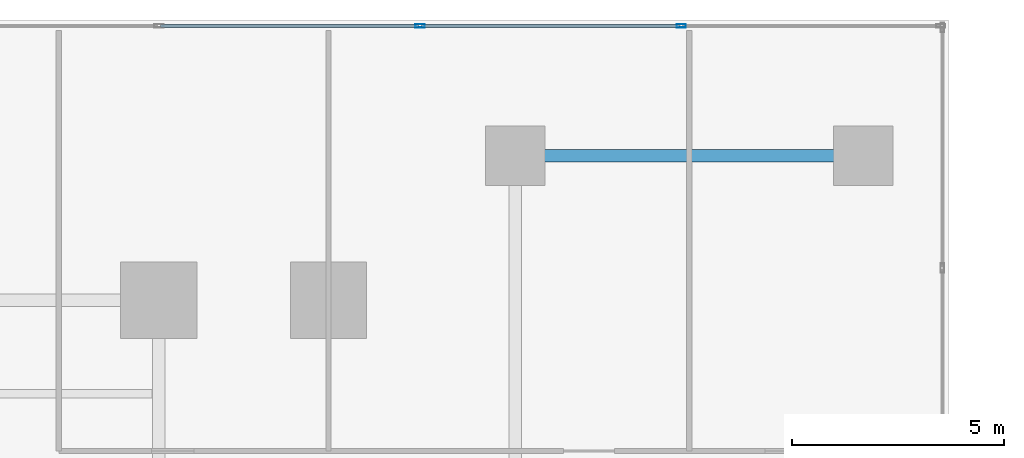
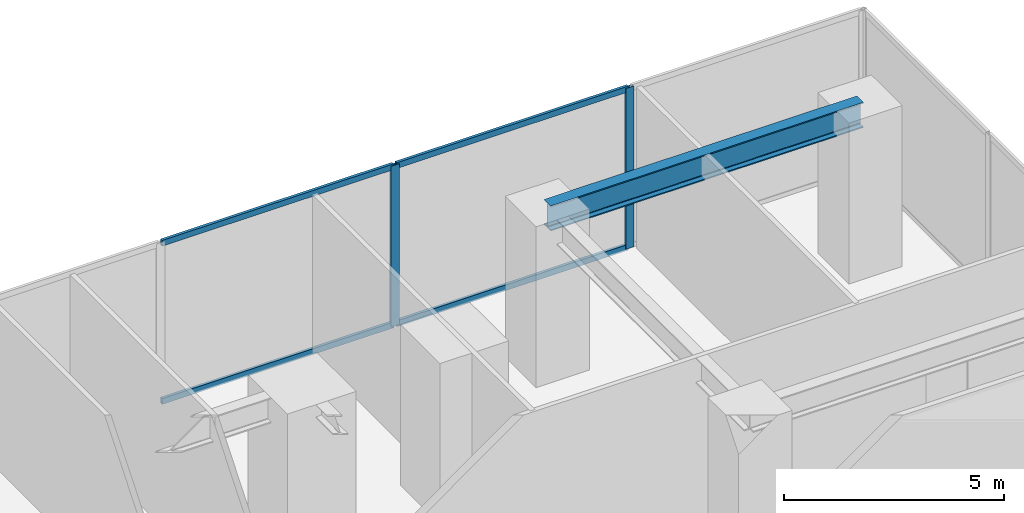
# One storey, part 4 of 16: 6 members, 1 beam, 1 element without a shape of its own.
"""IFC4 building model written with IfcOpenShell, lengths in metres."""

from ifc_helpers import new_model, si_unit, direction, frame, origin, origin_with_axes, origin_2d, place, context, subcontext, project, spatial, hollow_rectangle, i_section, extrude, source, transform, mapped, material, layer, layer_set, material_profile, profile_set, type_object, element, aggregate, save


model = new_model("IFC4")

# Units and contexts
model_context = context("Model", 3, precision=1e-05, world=origin(), true_north=direction((0.0, 1.0)))
body_context = subcontext(model_context, "Body", "Model", "MODEL_VIEW")
ifc_project = project(units=[si_unit("LENGTHUNIT", "METRE"), si_unit("AREAUNIT", "SQUARE_METRE"), si_unit("VOLUMEUNIT", "CUBIC_METRE"), si_unit("PLANEANGLEUNIT", "RADIAN"), si_unit("MASSUNIT", "GRAM", prefix="KILO")], contexts=[model_context])

# Site, building, storey
site_placement = place(None, origin())
site = spatial("IfcSite", under=ifc_project, at=site_placement, CompositionType="ELEMENT")
building_placement = place(site_placement, origin())
building = spatial("IfcBuilding", under=site, at=building_placement, Name="Kolvaren Waterfront Exchange", CompositionType="ELEMENT")
storey_placement = place(building_placement, frame((0.0, 0.0, 10.39990234375)))
storey = spatial("IfcBuildingStorey", under=building, at=storey_placement, Name="L03", CompositionType="ELEMENT", Elevation=10.39990234375)

# Beam
ifc_material_1 = material(Name="Steel S355", Category="steel")
ifc_material_profile_1 = material_profile(ifc_material_1, i_section(OverallWidth=0.300048828125, OverallDepth=0.699951171875, WebThickness=0.01708984375, FlangeThickness=0.031982421875, FilletRadius=0.027099609375, at=origin_2d()), Name="HEB700")
ifc_profile_set_1 = profile_set([ifc_material_profile_1], Name="Steel S355")
beam_type = type_object("IfcBeamType", Name="STR-BM-HEB700", PredefinedType="BEAM", material=ifc_profile_set_1)
beam_placement = place(storey_placement, frame((27.199951171875, 48.0, 4.110107421875), z_axis=(1.0, 0.0, 0.0), x_axis=(0.0, 1.0, 0.0)))
element("IfcBeam", 1, at=beam_placement, inside=storey, type_object=beam_type, Name="L03 podium north girder 2", PredefinedType="BEAM", context=body_context, shape_type="SweptSolid", body=[
    extrude(i_section(OverallWidth=0.300048828125, OverallDepth=0.699951171875, WebThickness=0.01708984375, FlangeThickness=0.031982421875, FilletRadius=0.027099609375, at=origin_2d()), origin(), (0.0, 0.0, 1.0), 8.199951171875),
])

# Curtain wall, members
ifc_material_2 = material(Name="Anodised bronze aluminium 6063-T6", Category="aluminium")
ifc_layer = layer(ifc_material_2, 0.219970703125, Name="Anodised bronze aluminium 6063-T6")
ifc_layer_set = layer_set([ifc_layer], Name="Anodised bronze aluminium 6063-T6")
curtain_wall_type = type_object("IfcCurtainWallType", Name="ARC-CW-SYS1", PredefinedType="USERDEFINED", material=ifc_layer_set)
curtain_wall_placement = place(storey_placement, origin())
curtain_wall = element("IfcCurtainWall", 2, at=curtain_wall_placement, inside=storey, type_object=curtain_wall_type, Name="L03 stick curtain wall CW1 (CW-L03-N2)", ObjectType="STICK CURTAIN WALL", PredefinedType="USERDEFINED")
ifc_material_3 = material(Name="Anodised aluminium 6063-T6", Category="aluminium")
ifc_material_profile_2 = material_profile(ifc_material_3, hollow_rectangle(XDim=0.074951171875, YDim=0.159912109375, WallThickness=0.00439453125, at=origin_2d()), Name="ALU-TRN-160x75x4.5")
ifc_profile_set_2 = profile_set([ifc_material_profile_2], Name="Anodised aluminium 6063-T6")
member_type_1 = type_object("IfcMemberType", Name="ARC-CWT-160", PredefinedType="USERDEFINED", material=ifc_profile_set_2)
shared_shape_1 = source(origin_with_axes(), body_context, "Body", "SweptSolid", [
    extrude(hollow_rectangle(XDim=0.074951171875, YDim=0.159912109375, WallThickness=0.00439453125, at=origin_2d()), origin(), (0.0, 0.0, 1.0), 6.07177734375),
])
member_1_placement = place(storey_placement, frame((31.068359375, 51.06005859375, 0.03759765625), z_axis=(-1.0, 0.0, 0.0), x_axis=(0.0, -1.0, 0.0)))
member_1 = element("IfcMember", 3, at=member_1_placement, type_object=member_type_1, Name="CW1 transom 2.1", ObjectType="TRANSOM", PredefinedType="USERDEFINED", context=body_context, shape_type="MappedRepresentation", body=[
    mapped(shared_shape_1, transform((0.0, 0.0, 0.0), x_axis=(1.0, 0.0, 0.0), y_axis=(0.0, 1.0, 0.0), z_axis=(0.0, 0.0, 1.0), scale=1.0)),
])
member_2_placement = place(storey_placement, frame((31.068359375, 51.06005859375, 4.422607421875), z_axis=(-1.0, 0.0, 0.0), x_axis=(0.0, -1.0, 0.0)))
member_2 = element("IfcMember", 4, at=member_2_placement, type_object=member_type_1, Name="CW1 transom 2.2", ObjectType="TRANSOM", PredefinedType="USERDEFINED", context=body_context, shape_type="MappedRepresentation", body=[
    mapped(shared_shape_1, transform((0.0, 0.0, 0.0), x_axis=(1.0, 0.0, 0.0), y_axis=(0.0, 1.0, 0.0), z_axis=(0.0, 0.0, 1.0), scale=1.0)),
])
member_3_placement = place(storey_placement, frame((24.916748046875, 51.06005859375, 0.03759765625), z_axis=(-1.0, 0.0, 0.0), x_axis=(0.0, -1.0, 0.0)))
member_3 = element("IfcMember", 5, at=member_3_placement, type_object=member_type_1, Name="CW1 transom 3.1", ObjectType="TRANSOM", PredefinedType="USERDEFINED", context=body_context, shape_type="MappedRepresentation", body=[
    mapped(shared_shape_1, transform((0.0, 0.0, 0.0), x_axis=(1.0, 0.0, 0.0), y_axis=(0.0, 1.0, 0.0), z_axis=(0.0, 0.0, 1.0), scale=1.0)),
])
member_4_placement = place(storey_placement, frame((24.916748046875, 51.06005859375, 4.422607421875), z_axis=(-1.0, 0.0, 0.0), x_axis=(0.0, -1.0, 0.0)))
member_4 = element("IfcMember", 6, at=member_4_placement, type_object=member_type_1, Name="CW1 transom 3.2", ObjectType="TRANSOM", PredefinedType="USERDEFINED", context=body_context, shape_type="MappedRepresentation", body=[
    mapped(shared_shape_1, transform((0.0, 0.0, 0.0), x_axis=(1.0, 0.0, 0.0), y_axis=(0.0, 1.0, 0.0), z_axis=(0.0, 0.0, 1.0), scale=1.0)),
])
ifc_material_profile_3 = material_profile(ifc_material_3, hollow_rectangle(XDim=0.080078125, YDim=0.219970703125, WallThickness=0.0048828125, at=origin_2d()), Name="ALU-MUL-220x80x5")
ifc_profile_set_3 = profile_set([ifc_material_profile_3], Name="Anodised aluminium 6063-T6")
member_type_2 = type_object("IfcMemberType", Name="ARC-CWM-220", PredefinedType="MULLION", material=ifc_profile_set_3)
shared_shape_2 = source(origin_with_axes(), body_context, "Body", "SweptSolid", [
    extrude(hollow_rectangle(XDim=0.080078125, YDim=0.219970703125, WallThickness=0.0048828125, at=origin_2d()), origin(), (0.0, 0.0, 1.0), 4.460205078125),
])
member_5_placement = place(storey_placement, frame((31.1083984375, 51.06005859375, 0.0), z_axis=(0.0, 0.0, 1.0), x_axis=(0.0, -1.0, 0.0)))
member_5 = element("IfcMember", 7, at=member_5_placement, type_object=member_type_2, Name="CW1 mullion 2", PredefinedType="MULLION", context=body_context, shape_type="MappedRepresentation", body=[
    mapped(shared_shape_2, transform((0.0, 0.0, 0.0), x_axis=(1.0, 0.0, 0.0), y_axis=(0.0, 1.0, 0.0), z_axis=(0.0, 0.0, 1.0), scale=1.0)),
])
member_6_placement = place(storey_placement, frame((24.956787109375, 51.06005859375, 0.0), z_axis=(0.0, 0.0, 1.0), x_axis=(0.0, -1.0, 0.0)))
member_6 = element("IfcMember", 8, at=member_6_placement, type_object=member_type_2, Name="CW1 mullion 3", PredefinedType="MULLION", context=body_context, shape_type="MappedRepresentation", body=[
    mapped(shared_shape_2, transform((0.0, 0.0, 0.0), x_axis=(1.0, 0.0, 0.0), y_axis=(0.0, 1.0, 0.0), z_axis=(0.0, 0.0, 1.0), scale=1.0)),
])
aggregate(curtain_wall, [member_5, member_6, member_1, member_2, member_3, member_4])

save(model, "model.ifc")
